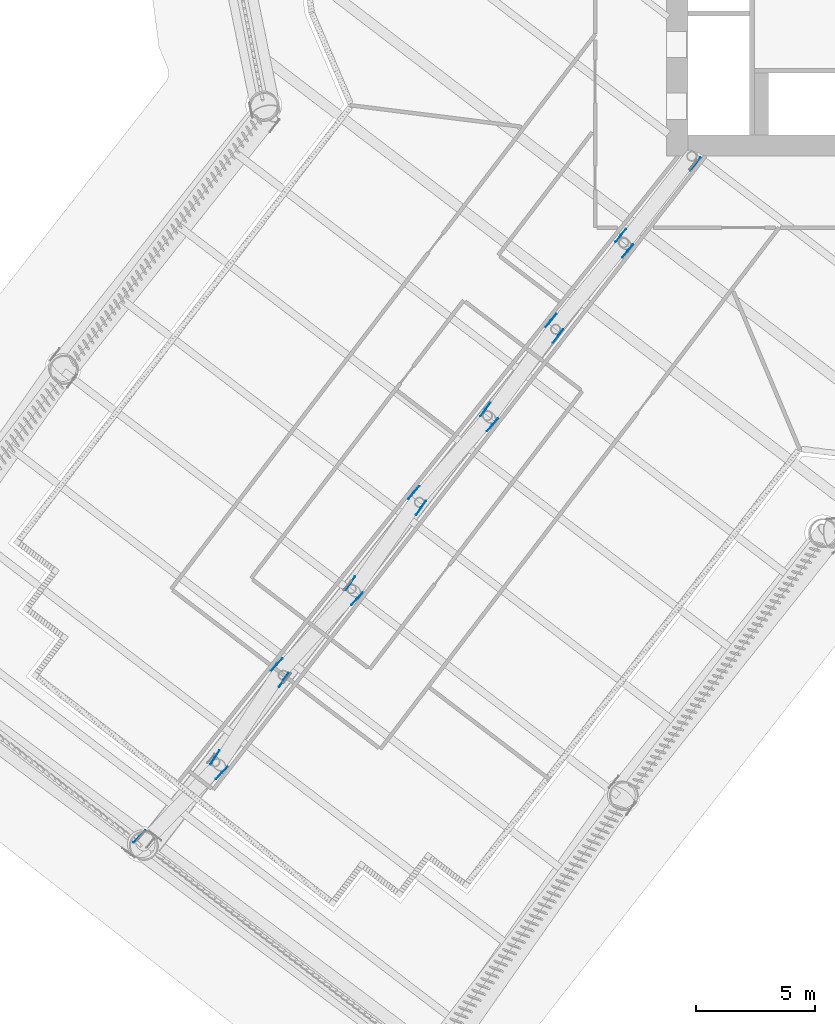
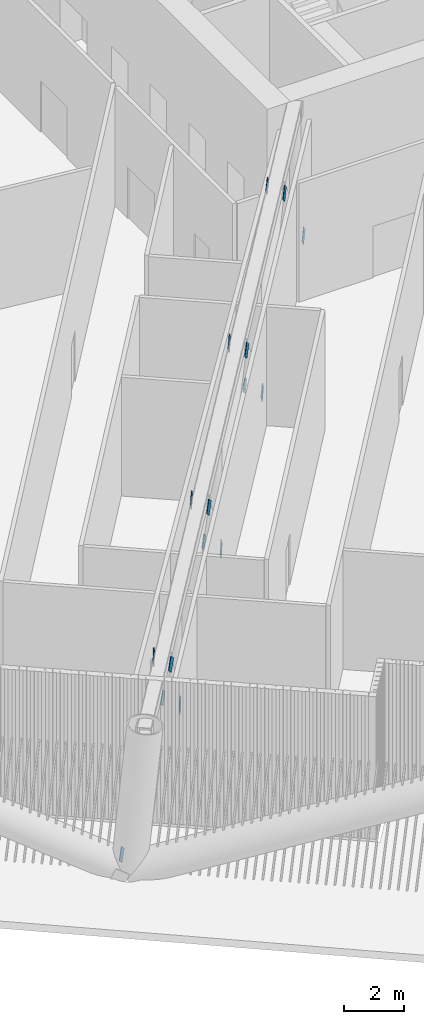
# One storey, part 19 of 48: 16 discrete accessories.
"""IFC4 building model written with IfcOpenShell, lengths in metres."""

from ifc_helpers import new_model, si_unit, direction, frame, origin, origin_2d, place, context, subcontext, project, spatial, rectangle, extrude, material, material_profile, profile_set, type_object, element, save


model = new_model("IFC4")

# Units and contexts
model_context = context("Model", 3, precision=1e-05, world=origin(), true_north=direction((0.0, 1.0)))
body_context = subcontext(model_context, "Body", "Model", "MODEL_VIEW")
ifc_project = project(units=[si_unit("LENGTHUNIT", "METRE"), si_unit("AREAUNIT", "SQUARE_METRE"), si_unit("VOLUMEUNIT", "CUBIC_METRE"), si_unit("PLANEANGLEUNIT", "RADIAN"), si_unit("MASSUNIT", "GRAM", prefix="KILO")], contexts=[model_context])

# Site, building, storey
site_placement = place(None, origin())
site = spatial("IfcSite", under=ifc_project, at=site_placement, CompositionType="ELEMENT")
building_placement = place(site_placement, origin())
building = spatial("IfcBuilding", under=site, at=building_placement, Name="Tarsis Ring Headquarters", CompositionType="ELEMENT")
storey_placement = place(building_placement, frame((0.0, 0.0, 34.0)))
storey = spatial("IfcBuildingStorey", under=building, at=storey_placement, Name="L06", CompositionType="ELEMENT", Elevation=34.0)

# Discrete accessories
ifc_material = material(Name="Structural steel S355", Category="steel")
ifc_material_profile = material_profile(ifc_material, rectangle(XDim=0.02490234375, YDim=0.5, at=origin_2d()), Name="PL 25x500")
ifc_profile_set = profile_set([ifc_material_profile], Name="Structural steel S355")
discrete_accessory_type = type_object("IfcDiscreteAccessoryType", Name="Gusset plate Outrigger 25", PredefinedType="BRACKET", material=ifc_profile_set)
discrete_accessory_1_placement = place(storey_placement, frame((-8.679443359375, -13.194580078125, 0.25390625), z_axis=(-0.402171098063, -0.517844095929, 0.755046952311), x_axis=(0.789792919027, -0.613373577076, 0.0)))
element("IfcDiscreteAccessory", 1, at=discrete_accessory_1_placement, inside=storey, type_object=discrete_accessory_type, Name="Gusset plate GP1", PredefinedType="BRACKET", context=body_context, shape_type="SweptSolid", body=[
    extrude(rectangle(XDim=0.02490234375, YDim=0.5, at=origin_2d()), origin(), (0.0, 0.0, 1.0), 0.500244140625),
])
for number, where, z_axis, x_axis, name in (
    (2, (-12.021728515625, -16.46240234375, 5.5859375), (0.402319338997, 0.518034974122, -0.754837012245), (-0.789792919027, 0.613373577076, 0.0), "Gusset plate GP1"),
    (3, (-11.52587890625, -16.858154296875, 5.5859375), (-0.415954292115, -0.507249424305, -0.754771520669), (0.773260492275, -0.634088488372, 0.0), "Gusset plate GP1"),
    (4, (-14.95556640625, -20.03857421875, 0.25390625), (0.415954292115, 0.507249424305, 0.754771520669), (-0.773260492275, 0.634088488372, 0.0), "Gusset plate GP1"),
):
    element("IfcDiscreteAccessory", number, at=place(storey_placement, frame(where, z_axis=z_axis, x_axis=x_axis)), inside=storey, type_object=discrete_accessory_type, Name=name, PredefinedType="BRACKET", context=body_context, shape_type="SweptSolid", body=[
        extrude(rectangle(XDim=0.02490234375, YDim=0.5, at=origin_2d()), origin(), (0.0, 0.0, 1.0), 0.5),
    ])
discrete_accessory_2_placement = place(storey_placement, frame((-14.45458984375, -20.427734375, 0.25390625), z_axis=(-0.388521610633, -0.528116058675, 0.755079059861), x_axis=(0.805504687875, -0.592589400692, 0.0)))
element("IfcDiscreteAccessory", 5, at=discrete_accessory_2_placement, inside=storey, type_object=discrete_accessory_type, Name="Gusset plate GP1", PredefinedType="BRACKET", context=body_context, shape_type="SweptSolid", body=[
    extrude(rectangle(XDim=0.02490234375, YDim=0.5, at=origin_2d()), origin(), (0.0, 0.0, 1.0), 0.500244140625),
])
for number, where, z_axis, x_axis, name in (
    (6, (-17.708984375, -23.782958984375, 5.5859375), (0.388250200744, 0.528410965038, -0.755012340064), (-0.805860054963, 0.592106047778, 0.0), "Gusset plate GP1"),
    (7, (-17.21337890625, -24.178466796875, 5.5859375), (-0.429615294139, -0.496498584249, -0.754267760733), (0.756204059193, -0.654335862429, 0.0), "Gusset plate GP1"),
    (8, (-20.73046875, -27.27197265625, 0.25390625), (0.429615294139, 0.496498584249, 0.754267760733), (-0.756204059193, 0.654335862429, 0.0), "Gusset plate GP1"),
    (9, (-20.22998046875, -27.66064453125, 0.25390625), (-0.374480024628, -0.538528640371, 0.754818928389), (0.821011386983, -0.570911816696, 0.0), "Gusset plate GP1"),
):
    element("IfcDiscreteAccessory", number, at=place(storey_placement, frame(where, z_axis=z_axis, x_axis=x_axis)), inside=storey, type_object=discrete_accessory_type, Name=name, PredefinedType="BRACKET", context=body_context, shape_type="SweptSolid", body=[
        extrude(rectangle(XDim=0.02490234375, YDim=0.5, at=origin_2d()), origin(), (0.0, 0.0, 1.0), 0.5),
    ])
discrete_accessory_3_placement = place(storey_placement, frame((-23.396240234375, -31.103759765625, 5.5859375), z_axis=(0.374381556369, 0.538875147629, -0.754620451299), x_axis=(-0.821253776442, 0.570563085626, 0.0)))
element("IfcDiscreteAccessory", 10, at=discrete_accessory_3_placement, inside=storey, type_object=discrete_accessory_type, Name="Gusset plate GP1", PredefinedType="BRACKET", context=body_context, shape_type="SweptSolid", body=[
    extrude(rectangle(XDim=0.02490234375, YDim=0.5, at=origin_2d()), origin(), (0.0, 0.0, 1.0), 0.500244140625),
])
discrete_accessory_4_placement = place(storey_placement, frame((-22.901123046875, -31.498779296875, 5.5859375), z_axis=(-0.443409857812, -0.485406826724, -0.753503756172), x_axis=(0.738324664592, -0.674445468259, 0.0)))
element("IfcDiscreteAccessory", 11, at=discrete_accessory_4_placement, inside=storey, type_object=discrete_accessory_type, Name="Gusset plate GP1", PredefinedType="BRACKET", context=body_context, shape_type="SweptSolid", body=[
    extrude(rectangle(XDim=0.02490234375, YDim=0.5, at=origin_2d()), origin(), (0.0, 0.0, 1.0), 0.5),
])
discrete_accessory_5_placement = place(storey_placement, frame((-26.5048828125, -34.505615234375, 0.25390625), z_axis=(0.44274940016, 0.485706343064, 0.753699089137), x_axis=(-0.739031973261, 0.673670351506, 0.0)))
element("IfcDiscreteAccessory", 12, at=discrete_accessory_5_placement, inside=storey, type_object=discrete_accessory_type, Name="Gusset plate GP1", PredefinedType="BRACKET", context=body_context, shape_type="SweptSolid", body=[
    extrude(rectangle(XDim=0.02490234375, YDim=0.5, at=origin_2d()), origin(), (0.0, 0.0, 1.0), 0.500244140625),
])
for number, where, z_axis, x_axis, name in (
    (13, (-26.00537109375, -34.8935546875, 0.25390625), (-0.360319735392, -0.548779651193, 0.754327901329), (0.83591996138, -0.548851362543, 0.0), "Gusset plate GP1"),
    (14, (-29.0830078125, -38.424560546875, 5.5859375), (0.360319735392, 0.548779651193, -0.754327901329), (-0.83591996138, 0.548851362543, 0.0), "Gusset plate GP1"),
    (15, (-28.589111328125, -38.818603515625, 5.5859375), (-0.456576388855, -0.474644117612, -0.752496486873), (0.7206905725, -0.693256877867, 0.0), "Gusset plate GP1"),
):
    element("IfcDiscreteAccessory", number, at=place(storey_placement, frame(where, z_axis=z_axis, x_axis=x_axis)), inside=storey, type_object=discrete_accessory_type, Name=name, PredefinedType="BRACKET", context=body_context, shape_type="SweptSolid", body=[
        extrude(rectangle(XDim=0.02490234375, YDim=0.5, at=origin_2d()), origin(), (0.0, 0.0, 1.0), 0.5),
    ])
discrete_accessory_6_placement = place(storey_placement, frame((-32.279541015625, -41.7392578125, 0.25390625), z_axis=(0.456408654787, 0.474469745939, 0.7527081772), x_axis=(-0.7206905725, 0.693256877867, 0.0)))
element("IfcDiscreteAccessory", 16, at=discrete_accessory_6_placement, inside=storey, type_object=discrete_accessory_type, Name="Gusset plate GP1", PredefinedType="BRACKET", context=body_context, shape_type="SweptSolid", body=[
    extrude(rectangle(XDim=0.02490234375, YDim=0.5, at=origin_2d()), origin(), (0.0, 0.0, 1.0), 0.500244140625),
])

save(model, "model.ifc")
